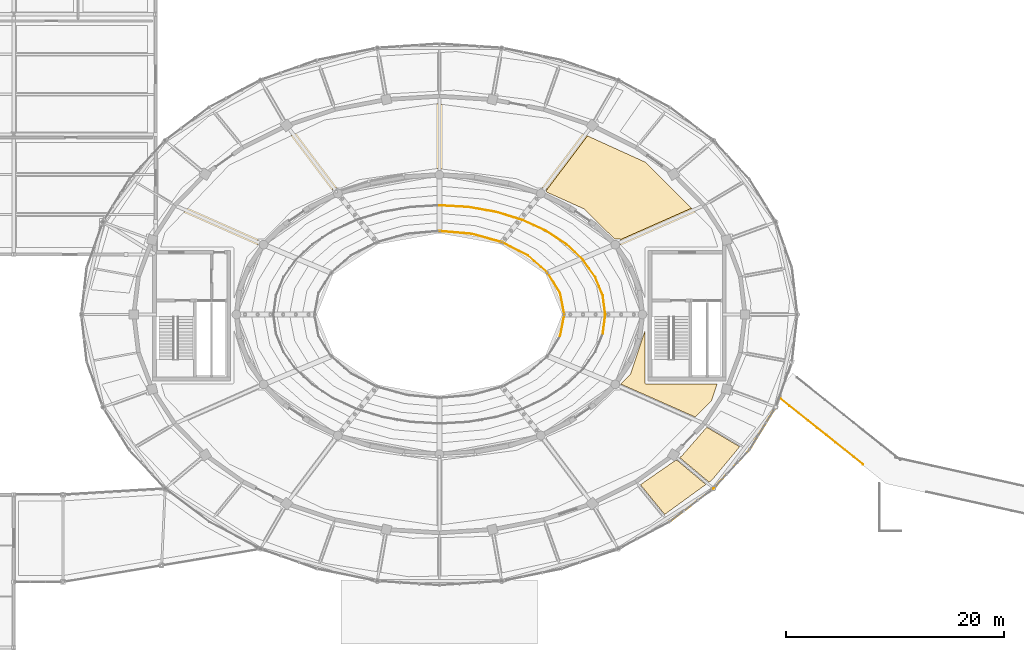
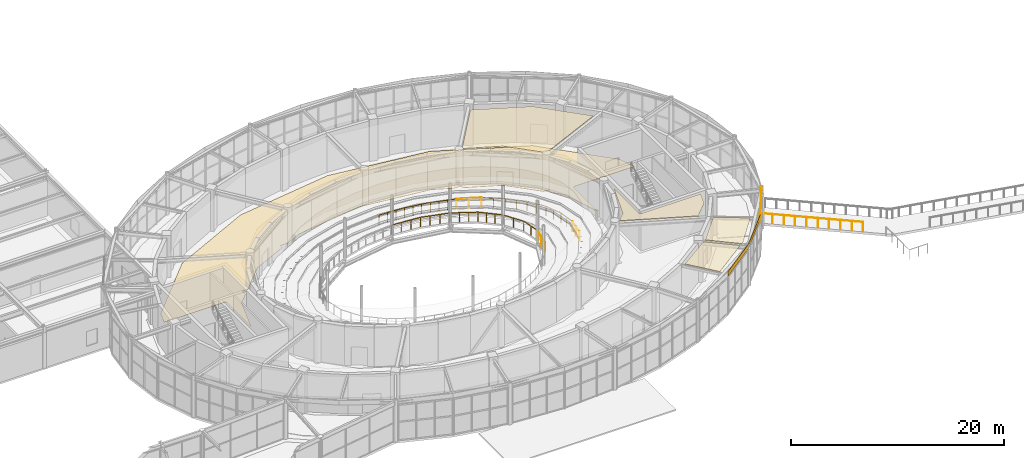
# One storey, part 93 of 100: 18 railings, 8 coverings.
"""IFC4 building model written with IfcOpenShell, lengths in metres."""

import ifcopenshell
import ifcopenshell.guid

model = None  # the IFC model being written
_history = None  # IfcOwnerHistory: only IFC2X3 demands one
_inside = {}  # id of a spatial element -> (the spatial element, [elements in it])
_under = {}  # id of a project, library or spatial element -> (it, [spatial elements below it])
_declared = {}  # id of a project -> (the project, [libraries it declares])
_typed = {}  # id of a type object -> (the type object, [elements of that type])
_made_of = {}  # id of a material, layer set ... -> (it, [elements and type objects made of it])


def new_model(schema):
    """Start an empty IFC model of exactly this schema.

    Asked for "IFC4X3", IfcOpenShell would pick the latest addendum, in which some entities
    have other attributes; the version numbers below select the first issue.
    IFC2X3 requires an IfcOwnerHistory on every rooted entity: one is made here for all.
    """
    global model, _history
    if schema == "IFC4X3":
        model = ifcopenshell.file(schema_version=(4, 3, 0, 0))
    else:
        model = ifcopenshell.file(schema=schema)
    _inside.clear()
    _under.clear()
    _declared.clear()
    _typed.clear()
    _made_of.clear()
    _history = None
    if model.schema == "IFC2X3":
        org = make("IfcOrganization", Name="unknown")
        user = make(
            "IfcPersonAndOrganization",
            ThePerson=make("IfcPerson", FamilyName="unknown"),
            TheOrganization=org,
        )
        app = make(
            "IfcApplication",
            ApplicationDeveloper=org,
            Version="unknown",
            ApplicationFullName="unknown",
            ApplicationIdentifier="unknown",
        )
        _history = make(
            "IfcOwnerHistory",
            OwningUser=user,
            OwningApplication=app,
            ChangeAction="ADDED",
            CreationDate=0,
        )
    return model


def make(cls, **values):
    """One entity of the class cls with the attributes given. An attribute that is None is left unset."""
    return model.create_entity(
        cls, **{name: value for name, value in values.items() if value is not None}
    )


def rooted(cls, **values):
    """An entity with a GlobalId (a new one), such as an element, a storey or a relation."""
    return make(cls, GlobalId=ifcopenshell.guid.new(), OwnerHistory=_history, **values)


def si_unit(unit_type, name, prefix=None):
    """IfcSIUnit, for example si_unit("LENGTHUNIT", "METRE", prefix="MILLI")."""
    return make("IfcSIUnit", UnitType=unit_type, Prefix=prefix, Name=name)


def assignment(units):
    """IfcUnitAssignment: the units of a project."""
    return None if units is None else make("IfcUnitAssignment", Units=units)


def point(xyz):
    """IfcCartesianPoint."""
    return None if xyz is None else make("IfcCartesianPoint", Coordinates=xyz)


def direction(xyz):
    """IfcDirection."""
    return None if xyz is None else make("IfcDirection", DirectionRatios=xyz)


def frame(location, z_axis=None, x_axis=None):
    """IfcAxis2Placement3D, a coordinate frame: its origin and axes. An axis left out is left unset."""
    return make(
        "IfcAxis2Placement3D",
        Location=point(location),
        Axis=direction(z_axis),
        RefDirection=direction(x_axis),
    )


def frame_2d(location, x_axis=None):
    """IfcAxis2Placement2D, a coordinate frame in the plane: its origin and x axis."""
    return make(
        "IfcAxis2Placement2D", Location=point(location), RefDirection=direction(x_axis)
    )


def origin():
    """The frame at (0, 0, 0) with its axes left unset."""
    return frame((0.0, 0.0, 0.0))


def origin_2d():
    """The frame at (0, 0) in the plane with its x axis left unset."""
    return frame_2d((0.0, 0.0))


def place(relative_to, where):
    """IfcLocalPlacement: puts the frame where relative to a parent placement (None: the world)."""
    return make(
        "IfcLocalPlacement", PlacementRelTo=relative_to, RelativePlacement=where
    )


def context(
    kind, dimensions, precision=None, world=None, true_north=None, identifier=None
):
    """IfcGeometricRepresentationContext, for example the 3D "Model" context."""
    return make(
        "IfcGeometricRepresentationContext",
        ContextIdentifier=identifier,
        ContextType=kind,
        CoordinateSpaceDimension=dimensions,
        Precision=precision,
        WorldCoordinateSystem=world,
        TrueNorth=true_north,
    )


def subcontext(parent, identifier, kind, view, scale=None):
    """IfcGeometricRepresentationSubContext, for example "Body" below "Model"."""
    return make(
        "IfcGeometricRepresentationSubContext",
        ContextIdentifier=identifier,
        ContextType=kind,
        ParentContext=parent,
        TargetScale=scale,
        TargetView=view,
    )


def project(units=None, contexts=None):
    """IfcProject with its units and contexts."""
    return rooted(
        "IfcProject",
        Name="project",
        RepresentationContexts=contexts,
        UnitsInContext=assignment(units),
    )


def spatial(cls, under=None, at=None, **own):
    """A site, building, storey or space (cls), placed at a placement, below another one or the project."""
    s = rooted(cls, ObjectPlacement=at, **own)
    if under is not None:
        _under.setdefault(under.id(), (under, []))[1].append(s)
    return s


def polyline(points):
    """IfcPolyline through the points."""
    return make("IfcPolyline", Points=[point(p) for p in points])


def profile(cls, at=None, kind="AREA", **sizes):
    """A parametric profile (cls). Its sizes go by their IFC names, for example OverallWidth=200.0."""
    return make(cls, ProfileType=kind, Position=at, **sizes)


def rectangle(**sizes):
    """IfcRectangleProfileDef."""
    return profile("IfcRectangleProfileDef", **sizes)


def circle(**sizes):
    """IfcCircleProfileDef."""
    return profile("IfcCircleProfileDef", **sizes)


def outline(outer, holes=None, kind="AREA"):
    """IfcArbitraryClosedProfileDef: a profile drawn as a closed curve; with holes, ...WithVoids."""
    if holes is None:
        return make("IfcArbitraryClosedProfileDef", ProfileType=kind, OuterCurve=outer)
    return make(
        "IfcArbitraryProfileDefWithVoids",
        ProfileType=kind,
        OuterCurve=outer,
        InnerCurves=holes,
    )


def extrude(swept, where, along, depth):
    """IfcExtrudedAreaSolid: the profile swept, set in the frame where, extruded along a direction by depth."""
    return make(
        "IfcExtrudedAreaSolid",
        SweptArea=swept,
        Position=where,
        ExtrudedDirection=direction(along),
        Depth=depth,
    )


def shape(context_of_items, identifier, shape_type, items):
    """IfcShapeRepresentation: the items that make up one representation, for example the "Body"."""
    return make(
        "IfcShapeRepresentation",
        ContextOfItems=context_of_items,
        RepresentationIdentifier=identifier,
        RepresentationType=shape_type,
        Items=items,
    )


def material(Name=None, Category=None):
    """IfcMaterial."""
    return make("IfcMaterial", Name=Name, Category=Category)


def layer(
    of_material, thickness, ventilated=None, Name=None, Category=None, Priority=None
):
    """IfcMaterialLayer: one layer of a wall or slab, of a material (None: an air gap)."""
    return make(
        "IfcMaterialLayer",
        Material=of_material,
        LayerThickness=thickness,
        IsVentilated=ventilated,
        Name=Name,
        Category=Category,
        Priority=Priority,
    )


def layer_set(layers, Name=None):
    """IfcMaterialLayerSet."""
    return make("IfcMaterialLayerSet", MaterialLayers=layers, LayerSetName=Name)


def made_of(thing, what):
    """Note that an element or type object is made of a material, layer set ...; save() writes the relation."""
    if what is not None:
        _made_of.setdefault(what.id(), (what, []))[1].append(thing)
    return thing


def type_object(cls, material=None, **own):
    """A type object (cls), such as IfcWallType, which elements share."""
    return made_of(rooted(cls, **own), material)


def element(
    cls,
    number,
    at=None,
    inside=None,
    cuts=None,
    type_object=None,
    material=None,
    context=None,
    identifier="Body",
    shape_type=None,
    held_by="IfcProductDefinitionShape",
    body=None,
    shapes=None,
    **own,
):
    """One element of the class cls, such as IfcWall. Its Tag is "e" and its number.

    at: its placement. inside: the storey or other place that contains it. cuts: it is an
    opening in that element (IfcRelVoidsElement). A single representation is given by context,
    identifier, shape_type and body (its items); several are given by shapes. held_by: the class
    of the entity that holds the representations. save() writes the other relations.
    """
    e = rooted(cls, Tag="e%d" % number, ObjectPlacement=at, **own)
    if body is not None:
        shapes = [shape(context, identifier, shape_type, body)]
    if shapes is not None:
        e.Representation = make(held_by, Representations=shapes)
    if inside is not None:
        _inside.setdefault(inside.id(), (inside, []))[1].append(e)
    if cuts is not None:
        rooted(
            "IfcRelVoidsElement", RelatingBuildingElement=cuts, RelatedOpeningElement=e
        )
    if type_object is not None:
        _typed.setdefault(type_object.id(), (type_object, []))[1].append(e)
    return made_of(e, material)


def aggregate(whole, parts):
    """IfcRelAggregates: a whole, such as a stair, and the parts it consists of."""
    return rooted("IfcRelAggregates", RelatingObject=whole, RelatedObjects=parts)


def save(model, path):
    """Write the relations noted so far, then the file.

    IfcRelAggregates (storeys below a building ...), IfcRelContainedInSpatialStructure (elements
    in a storey), IfcRelDefinesByType, IfcRelAssociatesMaterial and IfcRelDeclares: one each for
    every whole, place, type object, material and project.
    """
    for whole, parts in _under.values():
        aggregate(whole, parts)
    for where, things in _inside.values():
        rooted(
            "IfcRelContainedInSpatialStructure",
            RelatedElements=things,
            RelatingStructure=where,
        )
    for kind, things in _typed.values():
        rooted("IfcRelDefinesByType", RelatedObjects=things, RelatingType=kind)
    for what, things in _made_of.values():
        rooted("IfcRelAssociatesMaterial", RelatedObjects=things, RelatingMaterial=what)
    for by, libraries in _declared.values():
        rooted("IfcRelDeclares", RelatingContext=by, RelatedDefinitions=libraries)
    model.write(path)


model = new_model("IFC4")

# Units and contexts
model_context = context("Model", 3, precision=1e-05, world=origin(), true_north=direction((0.0, 1.0)))
body_context = subcontext(model_context, "Body", "Model", "MODEL_VIEW")
ifc_project = project(units=[si_unit("LENGTHUNIT", "METRE"), si_unit("AREAUNIT", "SQUARE_METRE"), si_unit("VOLUMEUNIT", "CUBIC_METRE"), si_unit("PLANEANGLEUNIT", "RADIAN"), si_unit("MASSUNIT", "GRAM", prefix="KILO")], contexts=[model_context])

# Site, building, storey
site_placement = place(None, origin())
site = spatial("IfcSite", under=ifc_project, at=site_placement, CompositionType="ELEMENT")
building_placement = place(site_placement, origin())
building = spatial("IfcBuilding", under=site, at=building_placement, Name="Tarnveldt Headland Concert Hall", CompositionType="ELEMENT")
storey_placement = place(building_placement, frame((0.0, 0.0, 4.800048828125)))
storey = spatial("IfcBuildingStorey", under=building, at=storey_placement, Name="L01", CompositionType="ELEMENT", Elevation=4.800048828125)

# Coverings
ifc_material_1 = material(Name="Micro-perforated mvule acoustic ceiling panel", Category="timber")
ifc_layer_1 = layer(ifc_material_1, 0.050048828125, Name="Micro-perforated mvule acoustic ceiling panel", Category="timber")
ifc_layer_set_1 = layer_set([ifc_layer_1], Name="Micro-perforated mvule acoustic ceiling panel")
covering_type_1 = type_object("IfcCoveringType", Name="CV-CEIL50", PredefinedType="CEILING", material=ifc_layer_set_1)
covering_1_placement = place(storey_placement, frame((0.0, 0.0, 4.489990234375)))
element("IfcCovering", 1, at=covering_1_placement, inside=storey, type_object=covering_type_1, Name="Acoustic mvule ceiling L01-09-119", PredefinedType="CEILING", context=body_context, shape_type="SweptSolid", body=[
    extrude(outline(polyline([(100.966796875, 48.9765625), (100.978271484375, 48.989013671875), (100.988525390625, 49.00244140625), (100.99755859375, 49.016845703125), (101.005126953125, 49.031982421875), (101.01123046875, 49.0478515625), (102.320068359375, 52.966796875), (102.320068359375, 48.300048828125), (102.32080078125, 48.282470703125), (102.323486328125, 48.264892578125), (102.327880859375, 48.247802734375), (102.333740234375, 48.231201171875), (102.34130859375, 48.215087890625), (102.350341796875, 48.199951171875), (102.36083984375, 48.185791015625), (102.372802734375, 48.172607421875), (102.3857421875, 48.160888671875), (102.39990234375, 48.150390625), (102.4150390625, 48.141357421875), (102.43115234375, 48.1337890625), (102.44775390625, 48.127685546875), (102.46484375, 48.12353515625), (102.482421875, 48.120849609375), (102.5, 48.1201171875), (108.928955078125, 48.1201171875), (108.440185546875, 46.62646484375), (106.93408203125, 45.11181640625), (100.108154296875, 48.13037109375), (100.108154296875, 48.130615234375), (100.966796875, 48.9765625)])), origin(), (0.0, 0.0, 1.0), 0.050048828125),
])
covering_2_placement = place(storey_placement, frame((0.0, 0.0, 4.489990234375)))
element("IfcCovering", 2, at=covering_2_placement, inside=storey, type_object=covering_type_1, Name="Acoustic mvule ceiling L01-10-121", PredefinedType="CEILING", context=body_context, shape_type="SweptSolid", body=[
    extrude(outline(polyline([(96.726318359375, 64.1923828125), (96.7119140625, 64.19970703125), (93.300048828125, 65.720703125), (93.300048828125, 65.8662109375), (97.069091796875, 70.866943359375), (102.412109375, 68.435791015625), (106.586669921875, 64.237548828125), (100.108154296875, 61.37255859375), (100.108154296875, 61.39990234375), (99.569580078125, 61.39990234375), (96.764892578125, 64.163330078125), (96.7529296875, 64.17431640625), (96.739990234375, 64.183837890625), (96.726318359375, 64.1923828125)])), origin(), (0.0, 0.0, 1.0), 0.050048828125),
])
covering_3_placement = place(storey_placement, frame((0.0, 0.0, 4.489990234375)))
element("IfcCovering", 3, at=covering_3_placement, inside=storey, type_object=covering_type_1, Name="Acoustic mvule ceiling L01-11-135", PredefinedType="CEILING", context=body_context, shape_type="SweptSolid", body=[
    extrude(outline(polyline([(104.13916015625, 36.18798828125), (101.91845703125, 38.9091796875), (105.1044921875, 41.119140625), (105.302490234375, 41.119140625), (107.91259765625, 38.92919921875), (104.13916015625, 36.18798828125)])), origin(), (0.0, 0.0, 1.0), 0.050048828125),
])
covering_4_placement = place(storey_placement, frame((0.0, 0.0, 4.489990234375)))
element("IfcCovering", 4, at=covering_4_placement, inside=storey, type_object=covering_type_1, Name="Acoustic mvule ceiling L01-11-136", PredefinedType="CEILING", context=body_context, shape_type="SweptSolid", body=[
    extrude(outline(polyline([(105.696533203125, 41.532958984375), (105.706787109375, 41.543701171875), (107.99462890625, 44.173828125), (111.007080078125, 42.38525390625), (108.477783203125, 39.33984375), (108.204345703125, 39.141357421875), (105.510986328125, 41.4013671875), (105.673583984375, 41.513916015625), (105.685302734375, 41.52294921875), (105.696533203125, 41.532958984375)])), origin(), (0.0, 0.0, 1.0), 0.050048828125),
])
ifc_material_2 = material(Name="Treated East African mvule hardwood", Category="wood")
ifc_layer_2 = layer(ifc_material_2, 0.044921875, Name="Treated East African mvule hardwood", Category="wood")
ifc_layer_set_2 = layer_set([ifc_layer_2], Name="Treated East African mvule hardwood")
covering_type_2 = type_object("IfcCoveringType", Name="CV-CLAD45", PredefinedType="CLADDING", material=ifc_layer_set_2)
covering_5_placement = place(storey_placement, frame((104.58349609375, 35.502197265625, 4.239990234375), z_axis=(0.0, 0.0, 1.0), x_axis=(0.797664418204, 0.603101546948, 0.0)))
element("IfcCovering", 5, at=covering_5_placement, inside=storey, type_object=covering_type_2, Name="Mvule hardwood fascia band L01-32", PredefinedType="CLADDING", context=body_context, shape_type="SweptSolid", body=[
    extrude(rectangle(XDim=5.068115234375, YDim=0.044921875, at=frame_2d((2.5341796875, 0.0))), origin(), (0.0, 0.0, 1.0), 0.52001953125),
])
covering_6_placement = place(storey_placement, frame((108.626220703125, 38.558837890625, 4.239990234375), z_axis=(0.0, 0.0, 1.0), x_axis=(0.67944736966, 0.733724247835, 0.0)))
element("IfcCovering", 6, at=covering_6_placement, inside=storey, type_object=covering_type_2, Name="Mvule hardwood fascia band L01-33", PredefinedType="CLADDING", context=body_context, shape_type="SweptSolid", body=[
    extrude(rectangle(XDim=4.826416015625, YDim=0.044921875, at=frame_2d((2.4130859375, 0.0))), origin(), (0.0, 0.0, 1.0), 0.52001953125),
])
covering_7_placement = place(storey_placement, frame((111.905517578125, 42.10009765625, 4.239990234375), z_axis=(0.0, 0.0, 1.0), x_axis=(0.524979001727, 0.851115178895, 0.0)))
element("IfcCovering", 7, at=covering_7_placement, inside=storey, type_object=covering_type_2, Name="Mvule hardwood fascia band L01-34", PredefinedType="CLADDING", context=body_context, shape_type="SweptSolid", body=[
    extrude(rectangle(XDim=4.60302734375, YDim=0.044921875, at=frame_2d((2.301513671875, 0.0))), origin(), (0.0, 0.0, 1.0), 0.52001953125),
])
ifc_material_3 = material(Name="Polished coral-aggregate cementitious terrazzo flooring", Category="concrete")
ifc_layer_3 = layer(ifc_material_3, 0.034912109375, Name="Polished coral-aggregate cementitious terrazzo flooring", Category="concrete")
ifc_layer_set_3 = layer_set([ifc_layer_3], Name="Polished coral-aggregate cementitious terrazzo flooring")
covering_type_3 = type_object("IfcCoveringType", Name="CV-FLOR35", PredefinedType="FLOORING", material=ifc_layer_set_3)
covering_8_placement = place(storey_placement, origin())
element("IfcCovering", 8, at=covering_8_placement, inside=storey, type_object=covering_type_3, Name="Architectural flooring L01-10-37", PredefinedType="FLOORING", context=body_context, shape_type="SweptSolid", body=[
    extrude(outline(polyline([(108.994384765625, 60.679931640625), (102.5, 60.679931640625), (102.482421875, 60.67919921875), (102.46484375, 60.676513671875), (102.44775390625, 60.672119140625), (102.43115234375, 60.666259765625), (102.4150390625, 60.65869140625), (102.39990234375, 60.649658203125), (102.3857421875, 60.63916015625), (102.372802734375, 60.627197265625), (102.36083984375, 60.6142578125), (102.350341796875, 60.60009765625), (102.34130859375, 60.5849609375), (102.333740234375, 60.56884765625), (102.327880859375, 60.55224609375), (102.323486328125, 60.53515625), (102.32080078125, 60.517578125), (102.320068359375, 60.5), (102.320068359375, 56.033203125), (101.01123046875, 59.9521484375), (101.005126953125, 59.968017578125), (100.99755859375, 59.983154296875), (100.988525390625, 59.99755859375), (100.978271484375, 60.010986328125), (100.966796875, 60.0234375), (100.108154296875, 60.869384765625), (100.108154296875, 61.39990234375), (99.569580078125, 61.39990234375), (96.764892578125, 64.163330078125), (96.7529296875, 64.17431640625), (96.739990234375, 64.183837890625), (96.726318359375, 64.1923828125), (96.7119140625, 64.19970703125), (93.300048828125, 65.720703125), (93.300048828125, 66.085205078125), (92.482421875, 66.085205078125), (90.575439453125, 66.935302734375), (90.55908203125, 66.941650390625), (90.54248046875, 66.9462890625), (90.525146484375, 66.949462890625), (84.0, 67.794677734375), (84.0, 67.800048828125), (83.95947265625, 67.800048828125), (83.357421875, 67.8779296875), (83.34130859375, 67.87939453125), (83.324951171875, 67.87939453125), (83.308837890625, 67.877685546875), (76.165283203125, 66.8623046875), (76.148193359375, 66.859130859375), (76.13134765625, 66.85400390625), (76.114990234375, 66.847412109375), (74.46875, 66.085205078125), (73.699951171875, 66.085205078125), (73.699951171875, 65.72900390625), (70.048095703125, 64.03759765625), (70.03369140625, 64.0302734375), (70.019775390625, 64.021484375), (70.0068359375, 64.011474609375), (69.9951171875, 64.000244140625), (67.45263671875, 61.39990234375), (66.891845703125, 61.39990234375), (66.891845703125, 60.82666015625), (65.89794921875, 59.809814453125), (65.886474609375, 59.797119140625), (65.87646484375, 59.783203125), (65.86767578125, 59.7685546875), (65.8603515625, 59.753173828125), (65.8544921875, 59.737060546875), (64.679931640625, 55.91845703125), (64.679931640625, 60.5), (64.67919921875, 60.517578125), (64.676513671875, 60.53515625), (64.672119140625, 60.55224609375), (64.666259765625, 60.56884765625), (64.65869140625, 60.5849609375), (64.649658203125, 60.60009765625), (64.63916015625, 60.6142578125), (64.627197265625, 60.627197265625), (64.6142578125, 60.63916015625), (64.60009765625, 60.649658203125), (64.5849609375, 60.65869140625), (64.56884765625, 60.666259765625), (64.55224609375, 60.672119140625), (64.53515625, 60.676513671875), (64.517578125, 60.67919921875), (64.5, 60.679931640625), (57.951904296875, 60.679931640625), (58.369384765625, 62.065185546875), (64.24658203125, 68.2001953125), (72.973388671875, 72.324951171875), (83.260986328125, 73.817626953125), (93.58447265625, 72.45263671875), (102.412109375, 68.435791015625), (108.440185546875, 62.37353515625), (108.994384765625, 60.679931640625)])), origin(), (0.0, 0.0, 1.0), 0.034912109375),
])

# Railings
ifc_material_4 = material(Name="Marine stainless steel", Category="steel")
ifc_layer_4 = layer(ifc_material_4, 0.074951171875, Name="Marine stainless steel", Category="steel")
ifc_layer_set_4 = layer_set([ifc_layer_4], Name="Marine stainless steel")
railing_type_1 = type_object("IfcRailingType", Name="RL-BAL110", PredefinedType="BALUSTRADE", material=ifc_layer_set_4)
railing_1_placement = place(storey_placement, frame((114.732666015625, 46.80859375, 0.0)))
element("IfcRailing", 9, at=railing_1_placement, inside=storey, type_object=railing_type_1, Name="GUARD Bridge south balustrade 1", PredefinedType="BALUSTRADE", context=body_context, shape_type="SweptSolid", body=[
    extrude(circle(Radius=0.02392578125, at=origin_2d()), frame((0.0, 0.0, 1.076171875), z_axis=(0.782586567478, -0.622541777235, 0.0), x_axis=(0.622541777235, 0.782586567478, 0.0)), (0.0, 0.0, 1.0), 9.703369140625),
    extrude(circle(Radius=0.02099609375, at=origin_2d()), origin(), (0.0, 0.0, 1.0), 1.052001953125),
    extrude(circle(Radius=0.02099609375, at=origin_2d()), frame((0.84375, -0.671142578125, 0.0)), (0.0, 0.0, 1.0), 1.052001953125),
    extrude(circle(Radius=0.02099609375, at=origin_2d()), frame((1.6875, -1.34228515625, 0.0)), (0.0, 0.0, 1.0), 1.052001953125),
    extrude(circle(Radius=0.02099609375, at=origin_2d()), frame((2.53125, -2.013671875, 0.0)), (0.0, 0.0, 1.0), 1.052001953125),
    extrude(circle(Radius=0.02099609375, at=origin_2d()), frame((3.375, -2.684814453125, 0.0)), (0.0, 0.0, 1.0), 1.052001953125),
    extrude(circle(Radius=0.02099609375, at=origin_2d()), frame((4.21875, -3.35595703125, 0.0)), (0.0, 0.0, 1.0), 1.052001953125),
    extrude(circle(Radius=0.02099609375, at=origin_2d()), frame((5.0625, -4.027099609375, 0.0)), (0.0, 0.0, 1.0), 1.052001953125),
    extrude(circle(Radius=0.02099609375, at=origin_2d()), frame((5.90625, -4.698486328125, 0.0)), (0.0, 0.0, 1.0), 1.052001953125),
    extrude(circle(Radius=0.02099609375, at=origin_2d()), frame((6.75, -5.36962890625, 0.0)), (0.0, 0.0, 1.0), 1.052001953125),
    extrude(circle(Radius=0.02099609375, at=origin_2d()), frame((7.59375, -6.040771484375, 0.0)), (0.0, 0.0, 1.0), 1.052001953125),
])
ifc_layer_5 = layer(ifc_material_4, 0.06005859375, Name="Marine stainless steel", Category="steel")
ifc_layer_set_5 = layer_set([ifc_layer_5], Name="Marine stainless steel")
railing_type_2 = type_object("IfcRailingType", Name="RL-GRD110", PredefinedType="GUARDRAIL", material=ifc_layer_set_5)
railing_2_placement = place(storey_placement, frame((94.949951171875, 54.5, 0.280029296875)))
element("IfcRailing", 10, at=railing_2_placement, inside=storey, type_object=railing_type_2, Name="GUARD Symphony tier sightline guardrail L01 1", PredefinedType="GUARDRAIL", context=body_context, shape_type="SweptSolid", body=[
    extrude(circle(Radius=0.02392578125, at=origin_2d()), frame((0.0, 0.0, 1.076171875), z_axis=(-0.193323530369, 0.981135063386, 0.0), x_axis=(-0.981135063386, -0.193323530369, 0.0)), (0.0, 0.0, 1.0), 2.01806640625),
    extrude(circle(Radius=0.02099609375, at=origin_2d()), origin(), (0.0, 0.0, 1.0), 1.052001953125),
    extrude(circle(Radius=0.02099609375, at=origin_2d()), frame((-0.195068359375, 0.989990234375, 0.0)), (0.0, 0.0, 1.0), 1.052001953125),
    extrude(circle(Radius=0.02099609375, at=origin_2d()), frame((-0.39013671875, 1.97998046875, 0.0)), (0.0, 0.0, 1.0), 1.052001953125),
])
railing_3_placement = place(storey_placement, frame((94.559814453125, 56.47998046875, 0.280029296875)))
element("IfcRailing", 11, at=railing_3_placement, inside=storey, type_object=railing_type_2, Name="GUARD Symphony tier sightline guardrail L01 2", PredefinedType="GUARDRAIL", context=body_context, shape_type="SweptSolid", body=[
    extrude(circle(Radius=0.02392578125, at=origin_2d()), frame((0.0, 0.0, 1.076171875), z_axis=(-0.526912047172, 0.849919816538, 0.0), x_axis=(-0.849919816538, -0.526912047172, 0.0)), (0.0, 0.0, 1.0), 2.170654296875),
    extrude(circle(Radius=0.02099609375, at=origin_2d()), origin(), (0.0, 0.0, 1.0), 1.052001953125),
    extrude(circle(Radius=0.02099609375, at=origin_2d()), frame((-0.57177734375, 0.92236328125, 0.0)), (0.0, 0.0, 1.0), 1.052001953125),
    extrude(circle(Radius=0.02099609375, at=origin_2d()), frame((-1.143798828125, 1.844970703125, 0.0)), (0.0, 0.0, 1.0), 1.052001953125),
])
railing_4_placement = place(storey_placement, frame((93.416015625, 58.324951171875, 0.280029296875)))
element("IfcRailing", 12, at=railing_4_placement, inside=storey, type_object=railing_type_2, Name="GUARD Symphony tier sightline guardrail L01 3", PredefinedType="GUARDRAIL", context=body_context, shape_type="SweptSolid", body=[
    extrude(circle(Radius=0.02392578125, at=origin_2d()), frame((0.0, 0.0, 1.076171875), z_axis=(-0.754147872627, 0.656704641534, 0.0), x_axis=(-0.656704641534, -0.754147872627, 0.0)), (0.0, 0.0, 1.0), 2.412841796875),
    extrude(circle(Radius=0.02099609375, at=origin_2d()), origin(), (0.0, 0.0, 1.0), 1.052001953125),
    extrude(circle(Radius=0.02099609375, at=origin_2d()), frame((-0.6064453125, 0.528076171875, 0.0)), (0.0, 0.0, 1.0), 1.052001953125),
    extrude(circle(Radius=0.02099609375, at=origin_2d()), frame((-1.213134765625, 1.056396484375, 0.0)), (0.0, 0.0, 1.0), 1.052001953125),
    extrude(circle(Radius=0.02099609375, at=origin_2d()), frame((-1.819580078125, 1.58447265625, 0.0)), (0.0, 0.0, 1.0), 1.052001953125),
])
railing_5_placement = place(storey_placement, frame((91.596435546875, 59.909423828125, 0.280029296875)))
element("IfcRailing", 13, at=railing_5_placement, inside=storey, type_object=railing_type_2, Name="GUARD Symphony tier sightline guardrail L01 4", PredefinedType="GUARDRAIL", context=body_context, shape_type="SweptSolid", body=[
    extrude(circle(Radius=0.02392578125, at=origin_2d()), frame((0.0, 0.0, 1.076171875), z_axis=(-0.889892806019, 0.456169698463, 0.0), x_axis=(-0.456169698463, -0.889892806019, 0.0)), (0.0, 0.0, 1.0), 2.664794921875),
    extrude(circle(Radius=0.02099609375, at=origin_2d()), origin(), (0.0, 0.0, 1.0), 1.052001953125),
    extrude(circle(Radius=0.02099609375, at=origin_2d()), frame((-0.79052734375, 0.4052734375, 0.0)), (0.0, 0.0, 1.0), 1.052001953125),
    extrude(circle(Radius=0.02099609375, at=origin_2d()), frame((-1.580810546875, 0.810302734375, 0.0)), (0.0, 0.0, 1.0), 1.052001953125),
    extrude(circle(Radius=0.02099609375, at=origin_2d()), frame((-2.371337890625, 1.215576171875, 0.0)), (0.0, 0.0, 1.0), 1.052001953125),
])
railing_6_placement = place(storey_placement, frame((89.22509765625, 61.125, 0.280029296875)))
element("IfcRailing", 14, at=railing_6_placement, inside=storey, type_object=railing_type_2, Name="GUARD Symphony tier sightline guardrail L01 5", PredefinedType="GUARDRAIL", context=body_context, shape_type="SweptSolid", body=[
    extrude(circle(Radius=0.02392578125, at=origin_2d()), frame((0.0, 0.0, 1.076171875), z_axis=(-0.963764063419, 0.266756124696, 0.0), x_axis=(-0.266756124696, -0.963764063419, 0.0)), (0.0, 0.0, 1.0), 2.865478515625),
    extrude(circle(Radius=0.02099609375, at=origin_2d()), origin(), (0.0, 0.0, 1.0), 1.052001953125),
    extrude(circle(Radius=0.02099609375, at=origin_2d()), frame((-0.920654296875, 0.2548828125, 0.0)), (0.0, 0.0, 1.0), 1.052001953125),
    extrude(circle(Radius=0.02099609375, at=origin_2d()), frame((-1.841064453125, 0.509521484375, 0.0)), (0.0, 0.0, 1.0), 1.052001953125),
    extrude(circle(Radius=0.02099609375, at=origin_2d()), frame((-2.76171875, 0.764404296875, 0.0)), (0.0, 0.0, 1.0), 1.052001953125),
])
railing_7_placement = place(storey_placement, frame((86.46337890625, 61.889404296875, 0.280029296875)))
element("IfcRailing", 15, at=railing_7_placement, inside=storey, type_object=railing_type_2, Name="GUARD Symphony tier sightline guardrail L01 6", PredefinedType="GUARDRAIL", context=body_context, shape_type="SweptSolid", body=[
    extrude(circle(Radius=0.02392578125, at=origin_2d()), frame((0.0, 0.0, 1.076171875), z_axis=(-0.996158538672, 0.087568063994, 0.0), x_axis=(-0.087568063994, -0.996158538672, 0.0)), (0.0, 0.0, 1.0), 2.974853515625),
    extrude(circle(Radius=0.02099609375, at=origin_2d()), origin(), (0.0, 0.0, 1.0), 1.052001953125),
    extrude(circle(Radius=0.02099609375, at=origin_2d()), frame((-0.98779296875, 0.0869140625, 0.0)), (0.0, 0.0, 1.0), 1.052001953125),
    extrude(circle(Radius=0.02099609375, at=origin_2d()), frame((-1.9755859375, 0.173583984375, 0.0)), (0.0, 0.0, 1.0), 1.052001953125),
    extrude(circle(Radius=0.02099609375, at=origin_2d()), frame((-2.96337890625, 0.260498046875, 0.0)), (0.0, 0.0, 1.0), 1.052001953125),
])
railing_8_placement = place(storey_placement, frame((94.559814453125, 52.52001953125, 0.280029296875)))
element("IfcRailing", 16, at=railing_8_placement, inside=storey, type_object=railing_type_2, Name="GUARD Symphony tier sightline guardrail L01 24", PredefinedType="GUARDRAIL", context=body_context, shape_type="SweptSolid", body=[
    extrude(circle(Radius=0.02392578125, at=origin_2d()), frame((0.0, 0.0, 1.076171875), z_axis=(0.193323530369, 0.981135063386, 0.0), x_axis=(-0.981135063386, 0.193323530369, 0.0)), (0.0, 0.0, 1.0), 2.01806640625),
    extrude(circle(Radius=0.02099609375, at=origin_2d()), origin(), (0.0, 0.0, 1.0), 1.052001953125),
    extrude(circle(Radius=0.02099609375, at=origin_2d()), frame((0.195068359375, 0.989990234375, 0.0)), (0.0, 0.0, 1.0), 1.052001953125),
    extrude(circle(Radius=0.02099609375, at=origin_2d()), frame((0.39013671875, 1.97998046875, 0.0)), (0.0, 0.0, 1.0), 1.052001953125),
])
railing_9_placement = place(storey_placement, frame((98.699951171875, 54.5, 0.0)))
element("IfcRailing", 17, at=railing_9_placement, inside=storey, type_object=railing_type_2, Name="GUARD Auditorium void guardrail L01 1", PredefinedType="GUARDRAIL", context=body_context, shape_type="SweptSolid", body=[
    extrude(circle(Radius=0.02392578125, at=origin_2d()), frame((0.0, 0.0, 1.076171875), z_axis=(-0.131835089673, 0.991271662629, 0.0), x_axis=(-0.991271662629, -0.131835089673, 0.0)), (0.0, 0.0, 1.0), 1.751953125),
    extrude(circle(Radius=0.02099609375, at=origin_2d()), origin(), (0.0, 0.0, 1.0), 1.052001953125),
    extrude(circle(Radius=0.02099609375, at=origin_2d()), frame((-0.115478515625, 0.8681640625, 0.0)), (0.0, 0.0, 1.0), 1.052001953125),
    extrude(circle(Radius=0.02099609375, at=origin_2d()), frame((-0.23095703125, 1.736572265625, 0.0)), (0.0, 0.0, 1.0), 1.052001953125),
])
railing_10_placement = place(storey_placement, frame((98.468994140625, 56.236572265625, 0.0)))
element("IfcRailing", 18, at=railing_10_placement, inside=storey, type_object=railing_type_2, Name="GUARD Auditorium void guardrail L01 2", PredefinedType="GUARDRAIL", context=body_context, shape_type="SweptSolid", body=[
    extrude(circle(Radius=0.02392578125, at=origin_2d()), frame((0.0, 0.0, 1.076171875), z_axis=(-0.377241429706, 0.926114951674, 0.0), x_axis=(-0.926114951674, -0.377241429706, 0.0)), (0.0, 0.0, 1.0), 1.81787109375),
    extrude(circle(Radius=0.02099609375, at=origin_2d()), origin(), (0.0, 0.0, 1.0), 1.052001953125),
    extrude(circle(Radius=0.02099609375, at=origin_2d()), frame((-0.3427734375, 0.841796875, 0.0)), (0.0, 0.0, 1.0), 1.052001953125),
    extrude(circle(Radius=0.02099609375, at=origin_2d()), frame((-0.685791015625, 1.68359375, 0.0)), (0.0, 0.0, 1.0), 1.052001953125),
])
railing_11_placement = place(storey_placement, frame((97.783203125, 57.920166015625, 0.0)))
element("IfcRailing", 19, at=railing_11_placement, inside=storey, type_object=railing_type_2, Name="GUARD Auditorium void guardrail L01 3", PredefinedType="GUARDRAIL", context=body_context, shape_type="SweptSolid", body=[
    extrude(circle(Radius=0.02392578125, at=origin_2d()), frame((0.0, 0.0, 1.076171875), z_axis=(-0.578216724182, 0.815883214606, 0.0), x_axis=(-0.815883214606, -0.578216724182, 0.0)), (0.0, 0.0, 1.0), 1.936279296875),
    extrude(circle(Radius=0.02099609375, at=origin_2d()), origin(), (0.0, 0.0, 1.0), 1.052001953125),
    extrude(circle(Radius=0.02099609375, at=origin_2d()), frame((-0.559814453125, 0.7900390625, 0.0)), (0.0, 0.0, 1.0), 1.052001953125),
    extrude(circle(Radius=0.02099609375, at=origin_2d()), frame((-1.11962890625, 1.579833984375, 0.0)), (0.0, 0.0, 1.0), 1.052001953125),
])
railing_12_placement = place(storey_placement, frame((96.66357421875, 59.5, 0.0)))
element("IfcRailing", 20, at=railing_12_placement, inside=storey, type_object=railing_type_2, Name="GUARD Auditorium void guardrail L01 4", PredefinedType="GUARDRAIL", context=body_context, shape_type="SweptSolid", body=[
    extrude(circle(Radius=0.02392578125, at=origin_2d()), frame((0.0, 0.0, 1.076171875), z_axis=(-0.728773712747, 0.684754609776, 0.0), x_axis=(-0.684754609776, -0.728773712747, 0.0)), (0.0, 0.0, 1.0), 2.08544921875),
    extrude(circle(Radius=0.02099609375, at=origin_2d()), origin(), (0.0, 0.0, 1.0), 1.052001953125),
    extrude(circle(Radius=0.02099609375, at=origin_2d()), frame((-0.759765625, 0.7138671875, 0.0)), (0.0, 0.0, 1.0), 1.052001953125),
    extrude(circle(Radius=0.02099609375, at=origin_2d()), frame((-1.519775390625, 1.427978515625, 0.0)), (0.0, 0.0, 1.0), 1.052001953125),
])
railing_13_placement = place(storey_placement, frame((95.143798828125, 60.927978515625, 0.0)))
element("IfcRailing", 21, at=railing_13_placement, inside=storey, type_object=railing_type_2, Name="GUARD Auditorium void guardrail L01 5", PredefinedType="GUARDRAIL", context=body_context, shape_type="SweptSolid", body=[
    extrude(circle(Radius=0.02392578125, at=origin_2d()), frame((0.0, 0.0, 1.076171875), z_axis=(-0.835418397825, 0.549614501788, 0.0), x_axis=(-0.549614501788, -0.835418397825, 0.0)), (0.0, 0.0, 1.0), 2.242431640625),
    extrude(circle(Radius=0.02099609375, at=origin_2d()), origin(), (0.0, 0.0, 1.0), 1.052001953125),
    extrude(circle(Radius=0.02099609375, at=origin_2d()), frame((-0.9365234375, 0.6162109375, 0.0)), (0.0, 0.0, 1.0), 1.052001953125),
    extrude(circle(Radius=0.02099609375, at=origin_2d()), frame((-1.873291015625, 1.232421875, 0.0)), (0.0, 0.0, 1.0), 1.052001953125),
])
railing_14_placement = place(storey_placement, frame((93.2705078125, 62.160400390625, 0.0)))
element("IfcRailing", 22, at=railing_14_placement, inside=storey, type_object=railing_type_2, Name="GUARD Auditorium void guardrail L01 6", PredefinedType="GUARDRAIL", context=body_context, shape_type="SweptSolid", body=[
    extrude(circle(Radius=0.02392578125, at=origin_2d()), frame((0.0, 0.0, 1.076171875), z_axis=(-0.908234283008, 0.418462049854, 0.0), x_axis=(-0.418462049854, -0.908234283008, 0.0)), (0.0, 0.0, 1.0), 2.3896484375),
    extrude(circle(Radius=0.02099609375, at=origin_2d()), origin(), (0.0, 0.0, 1.0), 1.052001953125),
    extrude(circle(Radius=0.02099609375, at=origin_2d()), frame((-1.085205078125, 0.5, 0.0)), (0.0, 0.0, 1.0), 1.052001953125),
    extrude(circle(Radius=0.02099609375, at=origin_2d()), frame((-2.17041015625, 1.0, 0.0)), (0.0, 0.0, 1.0), 1.052001953125),
])
railing_15_placement = place(storey_placement, frame((91.10009765625, 63.160400390625, 0.0)))
element("IfcRailing", 23, at=railing_15_placement, inside=storey, type_object=railing_type_2, Name="GUARD Auditorium void guardrail L01 7", PredefinedType="GUARDRAIL", context=body_context, shape_type="SweptSolid", body=[
    extrude(circle(Radius=0.02392578125, at=origin_2d()), frame((0.0, 0.0, 1.076171875), z_axis=(-0.956037133001, 0.293245631381, 0.0), x_axis=(-0.293245631381, -0.956037133001, 0.0)), (0.0, 0.0, 1.0), 2.51171875),
    extrude(circle(Radius=0.02099609375, at=origin_2d()), origin(), (0.0, 0.0, 1.0), 1.052001953125),
    extrude(circle(Radius=0.02099609375, at=origin_2d()), frame((-0.800537109375, 0.24560546875, 0.0)), (0.0, 0.0, 1.0), 1.052001953125),
    extrude(circle(Radius=0.02099609375, at=origin_2d()), frame((-1.600830078125, 0.490966796875, 0.0)), (0.0, 0.0, 1.0), 1.052001953125),
    extrude(circle(Radius=0.02099609375, at=origin_2d()), frame((-2.4013671875, 0.736572265625, 0.0)), (0.0, 0.0, 1.0), 1.052001953125),
])
railing_16_placement = place(storey_placement, frame((88.69873046875, 63.89697265625, 0.0)))
element("IfcRailing", 24, at=railing_16_placement, inside=storey, type_object=railing_type_2, Name="GUARD Auditorium void guardrail L01 8", PredefinedType="GUARDRAIL", context=body_context, shape_type="SweptSolid", body=[
    extrude(circle(Radius=0.02392578125, at=origin_2d()), frame((0.0, 0.0, 1.076171875), z_axis=(-0.984814752515, 0.173608476834, 0.0), x_axis=(-0.173608476834, -0.984814752515, 0.0)), (0.0, 0.0, 1.0), 2.598876953125),
    extrude(circle(Radius=0.02099609375, at=origin_2d()), origin(), (0.0, 0.0, 1.0), 1.052001953125),
    extrude(circle(Radius=0.02099609375, at=origin_2d()), frame((-0.85302734375, 0.150390625, 0.0)), (0.0, 0.0, 1.0), 1.052001953125),
    extrude(circle(Radius=0.02099609375, at=origin_2d()), frame((-1.706298828125, 0.30078125, 0.0)), (0.0, 0.0, 1.0), 1.052001953125),
    extrude(circle(Radius=0.02099609375, at=origin_2d()), frame((-2.559326171875, 0.451171875, 0.0)), (0.0, 0.0, 1.0), 1.052001953125),
])
railing_17_placement = place(storey_placement, frame((86.139404296875, 64.34814453125, 0.0)))
element("IfcRailing", 25, at=railing_17_placement, inside=storey, type_object=railing_type_2, Name="GUARD Auditorium void guardrail L01 9", PredefinedType="GUARDRAIL", context=body_context, shape_type="SweptSolid", body=[
    extrude(circle(Radius=0.02392578125, at=origin_2d()), frame((0.0, 0.0, 1.076171875), z_axis=(-0.99834901745, 0.057439005536, 0.0), x_axis=(-0.057439005536, -0.99834901745, 0.0)), (0.0, 0.0, 1.0), 2.643798828125),
    extrude(circle(Radius=0.02099609375, at=origin_2d()), origin(), (0.0, 0.0, 1.0), 1.052001953125),
    extrude(circle(Radius=0.02099609375, at=origin_2d()), frame((-0.8798828125, 0.050537109375, 0.0)), (0.0, 0.0, 1.0), 1.052001953125),
    extrude(circle(Radius=0.02099609375, at=origin_2d()), frame((-1.759521484375, 0.101318359375, 0.0)), (0.0, 0.0, 1.0), 1.052001953125),
    extrude(circle(Radius=0.02099609375, at=origin_2d()), frame((-2.639404296875, 0.15185546875, 0.0)), (0.0, 0.0, 1.0), 1.052001953125),
])
railing_18_placement = place(storey_placement, frame((98.468994140625, 52.763427734375, 0.0)))
element("IfcRailing", 26, at=railing_18_placement, inside=storey, type_object=railing_type_2, Name="GUARD Auditorium void guardrail L01 36", PredefinedType="GUARDRAIL", context=body_context, shape_type="SweptSolid", body=[
    extrude(circle(Radius=0.02392578125, at=origin_2d()), frame((0.0, 0.0, 1.076171875), z_axis=(0.131835089673, 0.991271662629, 0.0), x_axis=(-0.991271662629, 0.131835089673, 0.0)), (0.0, 0.0, 1.0), 1.751953125),
    extrude(circle(Radius=0.02099609375, at=origin_2d()), origin(), (0.0, 0.0, 1.0), 1.052001953125),
    extrude(circle(Radius=0.02099609375, at=origin_2d()), frame((0.115478515625, 0.8681640625, 0.0)), (0.0, 0.0, 1.0), 1.052001953125),
    extrude(circle(Radius=0.02099609375, at=origin_2d()), frame((0.23095703125, 1.736572265625, 0.0)), (0.0, 0.0, 1.0), 1.052001953125),
])

save(model, "model.ifc")
